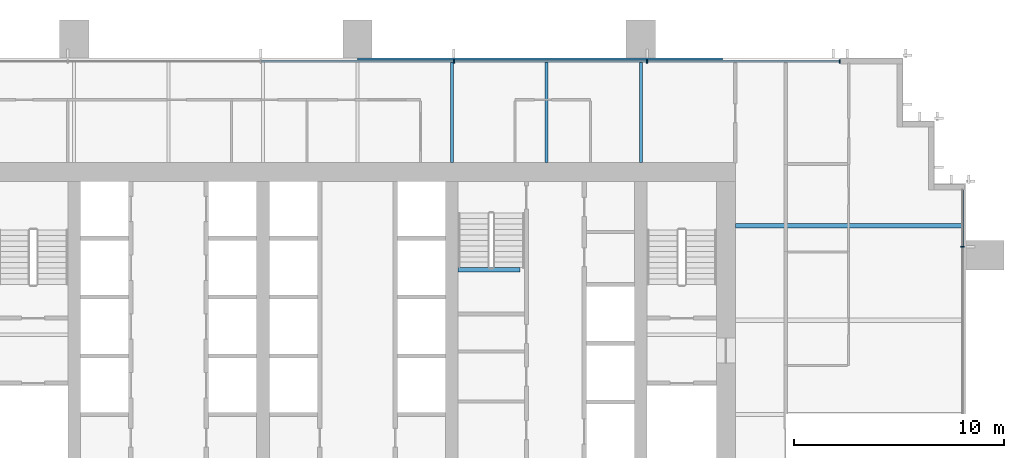
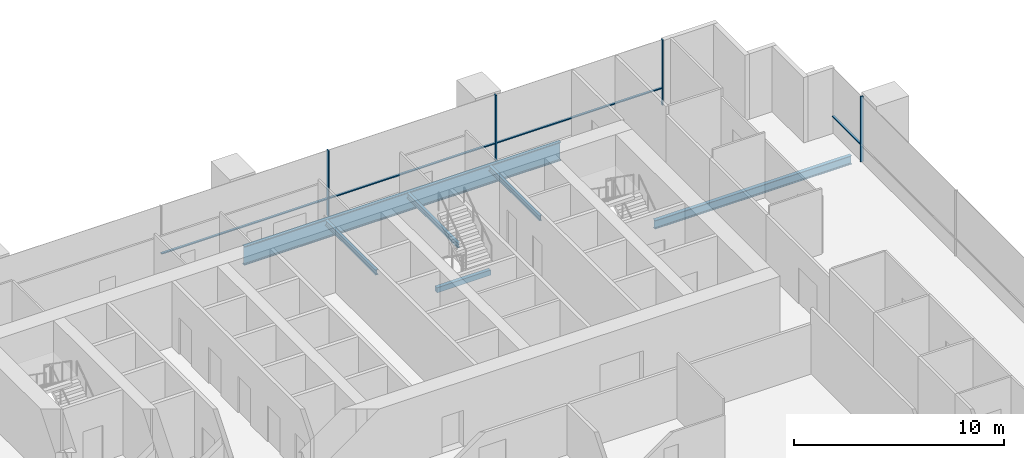
# One storey, part 8 of 15: 8 members, 6 beams, 2 elements without a shape of their own.
"""IFC4 building model written with IfcOpenShell, lengths in metres."""

from ifc_helpers import new_model, si_unit, direction, frame, origin, origin_2d, place, context, subcontext, project, spatial, rectangle, i_section, extrude, material, material_profile, profile_set, type_object, element, aggregate, save


model = new_model("IFC4")

# Units and contexts
model_context = context("Model", 3, precision=1e-05, world=origin(), true_north=direction((0.0, 1.0)))
body_context = subcontext(model_context, "Body", "Model", "MODEL_VIEW")
ifc_project = project(units=[si_unit("LENGTHUNIT", "METRE"), si_unit("AREAUNIT", "SQUARE_METRE"), si_unit("VOLUMEUNIT", "CUBIC_METRE"), si_unit("PLANEANGLEUNIT", "RADIAN"), si_unit("MASSUNIT", "GRAM", prefix="KILO")], contexts=[model_context])

# Site, building, storey
site_placement = place(None, origin())
site = spatial("IfcSite", under=ifc_project, at=site_placement, CompositionType="ELEMENT")
building_placement = place(site_placement, origin())
building = spatial("IfcBuilding", under=site, at=building_placement, Name="Rattan Terrace Tower", CompositionType="ELEMENT")
storey_placement = place(building_placement, frame((0.0, 0.0, 142.10009765625)))
storey = spatial("IfcBuildingStorey", under=building, at=storey_placement, Name="L32", CompositionType="ELEMENT", Elevation=142.10009765625)

# Beam
ifc_material_1 = material(Name="Concrete C40/50", Category="concrete")
ifc_material_profile_1 = material_profile(ifc_material_1, rectangle(XDim=0.199951171875, YDim=0.300048828125, at=origin_2d()), Name="RC 200x300")
ifc_profile_set_1 = profile_set([ifc_material_profile_1], Name="Concrete C40/50")
beam_type_1 = type_object("IfcBeamType", Name="Core landing beam RC 200x300", PredefinedType="BEAM", material=ifc_profile_set_1)
beam_1_placement = place(storey_placement, frame((4.800048828125, 2.39990234375, 1.64990234375), z_axis=(1.0, 0.0, 0.0), x_axis=(0.0, 1.0, 0.0)))
element("IfcBeam", 1, at=beam_1_placement, inside=storey, type_object=beam_type_1, Name="st-S3-L32 landing 1 edge beam", PredefinedType="BEAM", context=body_context, shape_type="SweptSolid", body=[
    extrude(rectangle(XDim=0.199951171875, YDim=0.300048828125, at=origin_2d()), origin(), (0.0, 0.0, 1.0), 2.949951171875),
])

# Curtain wall, member
ifc_material_2 = material(Name="Aluminium and glass", Category="aluminium")
curtain_wall_type = type_object("IfcCurtainWallType", Name="Facade Unitised Curtain Wall", PredefinedType="NOTDEFINED", material=ifc_material_2)
curtain_wall_1_placement = place(storey_placement, origin())
curtain_wall_1 = element("IfcCurtainWall", 2, at=curtain_wall_1_placement, inside=storey, type_object=curtain_wall_type, Name="Curtain wall L32-1", PredefinedType="NOTDEFINED")
ifc_material_3 = material(Name="Aluminium", Category="aluminium")
ifc_material_profile_2 = material_profile(ifc_material_3, rectangle(XDim=0.06005859375, YDim=0.159912109375, at=origin_2d()), Name="Aluminium 60x160")
ifc_profile_set_2 = profile_set([ifc_material_profile_2], Name="Aluminium")
member_type_1 = type_object("IfcMemberType", Name="Facade CW Mullion 60x160", PredefinedType="MULLION", material=ifc_profile_set_2)
member_1_placement = place(storey_placement, frame((28.830078125, 3.5, 0.0), z_axis=(0.0, 0.0, 1.0), x_axis=(0.0, 1.0, 0.0)))
member_1 = element("IfcMember", 3, at=member_1_placement, type_object=member_type_1, Name="Mullion cwl-L32-001.4", PredefinedType="MULLION", context=body_context, shape_type="SweptSolid", body=[
    extrude(rectangle(XDim=0.06005859375, YDim=0.159912109375, at=origin_2d()), origin(), (0.0, 0.0, 1.0), 3.7998046875),
])

# Curtain wall, members
curtain_wall_2_placement = place(storey_placement, origin())
curtain_wall_2 = element("IfcCurtainWall", 4, at=curtain_wall_2_placement, inside=storey, type_object=curtain_wall_type, Name="Curtain wall L32-2", PredefinedType="NOTDEFINED")
member_2_placement = place(storey_placement, frame((22.969970703125, 12.330078125, 0.0), z_axis=(0.0, 0.0, 1.0), x_axis=(-1.0, 0.0, 0.0)))
member_2 = element("IfcMember", 5, at=member_2_placement, type_object=member_type_1, Name="Mullion cwl-L32-002.1", PredefinedType="MULLION", context=body_context, shape_type="SweptSolid", body=[
    extrude(rectangle(XDim=0.06005859375, YDim=0.159912109375, at=origin_2d()), origin(), (0.0, 0.0, 1.0), 3.7998046875),
])
member_3_placement = place(storey_placement, frame((13.799072265625, 12.330078125, 0.0), z_axis=(0.0, 0.0, 1.0), x_axis=(-1.0, 0.0, 0.0)))
member_3 = element("IfcMember", 6, at=member_3_placement, type_object=member_type_1, Name="Mullion cwl-L32-002.2", PredefinedType="MULLION", context=body_context, shape_type="SweptSolid", body=[
    extrude(rectangle(XDim=0.06005859375, YDim=0.159912109375, at=origin_2d()), origin(), (0.0, 0.0, 1.0), 3.7998046875),
])
member_4_placement = place(storey_placement, frame((4.597900390625, 12.330078125, 0.0), z_axis=(0.0, 0.0, 1.0), x_axis=(-1.0, 0.0, 0.0)))
member_4 = element("IfcMember", 7, at=member_4_placement, type_object=member_type_1, Name="Mullion cwl-L32-002.3", PredefinedType="MULLION", context=body_context, shape_type="SweptSolid", body=[
    extrude(rectangle(XDim=0.06005859375, YDim=0.159912109375, at=origin_2d()), origin(), (0.0, 0.0, 1.0), 3.7998046875),
])

# Member
ifc_material_4 = material(Name="Aluminium", Category="aluminium")
ifc_material_profile_3 = material_profile(ifc_material_4, rectangle(XDim=0.1201171875, YDim=0.06005859375, at=origin_2d()), Name="Aluminium 120x60")
ifc_profile_set_3 = profile_set([ifc_material_profile_3], Name="Aluminium")
member_type_2 = type_object("IfcMemberType", Name="Facade CW Transom 120x60", PredefinedType="USERDEFINED", material=ifc_profile_set_3)
member_5_placement = place(storey_placement, frame((28.830078125, 3.530029296875, 1.0), z_axis=(0.0, 1.0, 0.0), x_axis=(-1.0, 0.0, 0.0)))
member_5 = element("IfcMember", 8, at=member_5_placement, type_object=member_type_2, Name="Transom cwl-L32-001.4", ObjectType="TRANSOM", PredefinedType="USERDEFINED", context=body_context, shape_type="SweptSolid", body=[
    extrude(rectangle(XDim=0.1201171875, YDim=0.06005859375, at=origin_2d()), origin(), (0.0, 0.0, 1.0), 2.675048828125),
])

aggregate(curtain_wall_1, [member_1, member_5])

member_6_placement = place(storey_placement, frame((22.93994140625, 12.330078125, 1.0), z_axis=(-1.0, 0.0, 0.0), x_axis=(0.0, -1.0, 0.0)))
member_6 = element("IfcMember", 9, at=member_6_placement, type_object=member_type_2, Name="Transom cwl-L32-002.1", ObjectType="TRANSOM", PredefinedType="USERDEFINED", context=body_context, shape_type="SweptSolid", body=[
    extrude(rectangle(XDim=0.1201171875, YDim=0.06005859375, at=origin_2d()), origin(), (0.0, 0.0, 1.0), 9.11083984375),
])

member_7_placement = place(storey_placement, frame((13.76904296875, 12.330078125, 1.0), z_axis=(-1.0, 0.0, 0.0), x_axis=(0.0, -1.0, 0.0)))
member_7 = element("IfcMember", 10, at=member_7_placement, type_object=member_type_2, Name="Transom cwl-L32-002.2", ObjectType="TRANSOM", PredefinedType="USERDEFINED", context=body_context, shape_type="SweptSolid", body=[
    extrude(rectangle(XDim=0.1201171875, YDim=0.06005859375, at=origin_2d()), origin(), (0.0, 0.0, 1.0), 9.14111328125),
])

member_8_placement = place(storey_placement, frame((4.568115234375, 12.330078125, 1.0), z_axis=(-1.0, 0.0, 0.0), x_axis=(0.0, -1.0, 0.0)))
member_8 = element("IfcMember", 11, at=member_8_placement, type_object=member_type_2, Name="Transom cwl-L32-002.3", ObjectType="TRANSOM", PredefinedType="USERDEFINED", context=body_context, shape_type="SweptSolid", body=[
    extrude(rectangle(XDim=0.1201171875, YDim=0.06005859375, at=origin_2d()), origin(), (0.0, 0.0, 1.0), 9.14111328125),
])

aggregate(curtain_wall_2, [member_2, member_3, member_4, member_6, member_7, member_8])

# Beams
ifc_material_5 = material(Name="Steel S460", Category="steel")
ifc_material_profile_4 = material_profile(ifc_material_5, i_section(OverallWidth=0.179931640625, OverallDepth=1.10009765625, WebThickness=0.01611328125, FlangeThickness=0.050048828125, at=origin_2d()), Name="PG 1100x180-16-50")
ifc_profile_set_4 = profile_set([ifc_material_profile_4], Name="Steel S460")
beam_type_2 = type_object("IfcBeamType", Name="Frame edge girder PG 1100x180-16-50", PredefinedType="SPANDREL", material=ifc_profile_set_4)
beam_2_placement = place(storey_placement, frame((17.39990234375, 12.409912109375, -0.75), z_axis=(-1.0, 0.0, 0.0), x_axis=(0.0, -1.0, 0.0)))
element("IfcBeam", 12, at=beam_2_placement, inside=storey, type_object=beam_type_2, Name="gdr-L32-006", PredefinedType="SPANDREL", context=body_context, shape_type="SweptSolid", body=[
    extrude(i_section(OverallWidth=0.179931640625, OverallDepth=1.10009765625, WebThickness=0.01611328125, FlangeThickness=0.050048828125, at=origin_2d()), origin(), (0.0, 0.0, 1.0), 17.39990234375),
])
ifc_material_6 = material(Name="Steel S355", Category="steel")
ifc_material_profile_5 = material_profile(ifc_material_6, i_section(OverallWidth=0.14990234375, OverallDepth=0.300048828125, WebThickness=0.007080078125, FlangeThickness=0.0107421875, FilletRadius=0.014892578125, at=origin_2d()), Name="IPE 300")
ifc_profile_set_5 = profile_set([ifc_material_profile_5], Name="Steel S355")
beam_type_3 = type_object("IfcBeamType", Name="Frame floor beam IPE 300", PredefinedType="JOIST", material=ifc_profile_set_5)
for number, where, z_axis, x_axis, name in (
    (13, (4.5, 7.5, -0.35009765625), (0.0, 1.0, 0.0), (-1.0, 0.0, 0.0), "bm-L32-020"),
    (14, (9.0, 7.5, -0.35009765625), (0.0, 1.0, 0.0), (-1.0, 0.0, 0.0), "bm-L32-021"),
    (15, (13.5, 7.5, -0.35009765625), (0.0, 1.0, 0.0), (-1.0, 0.0, 0.0), "bm-L32-022"),
):
    element("IfcBeam", number, at=place(storey_placement, frame(where, z_axis=z_axis, x_axis=x_axis)), inside=storey, type_object=beam_type_3, Name=name, PredefinedType="JOIST", context=body_context, shape_type="SweptSolid", body=[
        extrude(i_section(OverallWidth=0.14990234375, OverallDepth=0.300048828125, WebThickness=0.007080078125, FlangeThickness=0.0107421875, FilletRadius=0.014892578125, at=origin_2d()), origin(), (0.0, 0.0, 1.0), 4.820068359375),
    ])
ifc_material_7 = material(Name="Steel S355", Category="steel")
ifc_material_profile_6 = material_profile(ifc_material_7, i_section(OverallWidth=0.199951171875, OverallDepth=0.5, WebThickness=0.01025390625, FlangeThickness=0.01611328125, FilletRadius=0.02099609375, at=origin_2d()), Name="IPE 500")
ifc_profile_set_6 = profile_set([ifc_material_profile_6], Name="Steel S355")
beam_type_4 = type_object("IfcBeamType", Name="Frame floor beam IPE 500", PredefinedType="JOIST", material=ifc_profile_set_6)
beam_3_placement = place(storey_placement, frame((18.0, 4.5, -0.4501953125), z_axis=(1.0, 0.0, 0.0), x_axis=(0.0, 1.0, 0.0)))
element("IfcBeam", 16, at=beam_3_placement, inside=storey, type_object=beam_type_4, Name="bm-L32-015", PredefinedType="JOIST", context=body_context, shape_type="SweptSolid", body=[
    extrude(i_section(OverallWidth=0.199951171875, OverallDepth=0.5, WebThickness=0.01025390625, FlangeThickness=0.01611328125, FilletRadius=0.02099609375, at=origin_2d()), origin(), (0.0, 0.0, 1.0), 10.820068359375),
])

save(model, "model.ifc")
